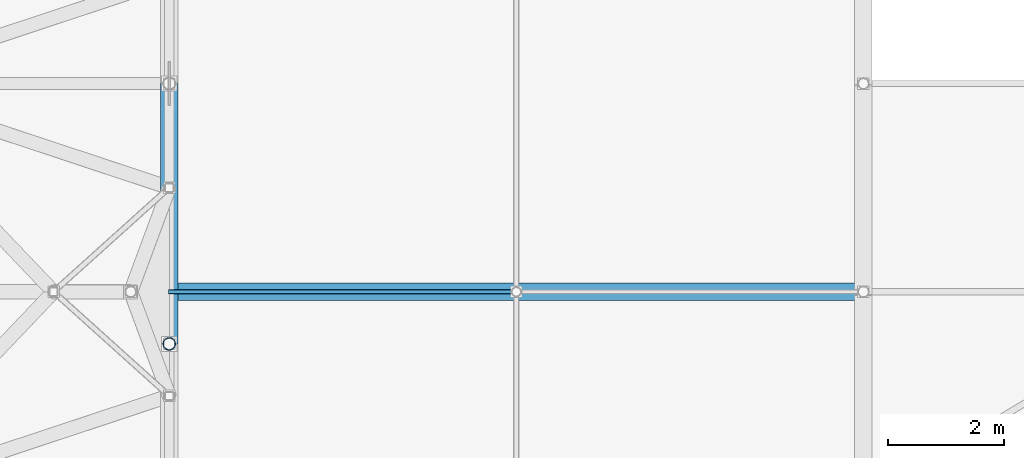
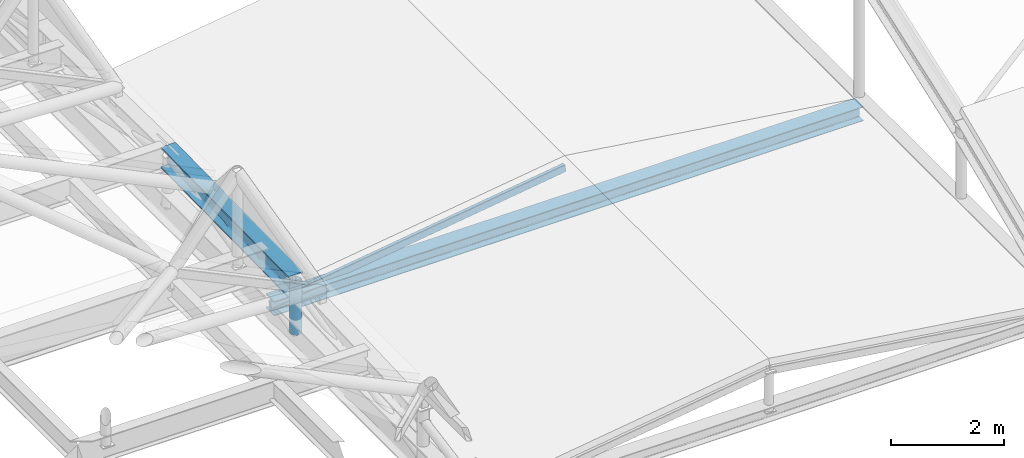
# One storey, part 144 of 239: 2 beams, 2 members.
"""IFC4 building model written with IfcOpenShell, lengths in metres."""

from ifc_helpers import new_model, si_unit, direction, frame, origin, origin_2d, place, context, subcontext, project, spatial, hollow_rectangle, hollow_circle, i_section, extrude, material, material_profile, profile_set, type_object, element, save


model = new_model("IFC4")

# Units and contexts
model_context = context("Model", 3, precision=1e-05, world=origin(), true_north=direction((0.0, 1.0)))
body_context = subcontext(model_context, "Body", "Model", "MODEL_VIEW")
ifc_project = project(units=[si_unit("LENGTHUNIT", "METRE"), si_unit("AREAUNIT", "SQUARE_METRE"), si_unit("VOLUMEUNIT", "CUBIC_METRE"), si_unit("PLANEANGLEUNIT", "RADIAN"), si_unit("MASSUNIT", "GRAM", prefix="KILO")], contexts=[model_context])

# Site, building, storey
site_placement = place(None, origin())
site = spatial("IfcSite", under=ifc_project, at=site_placement, CompositionType="ELEMENT")
building_placement = place(site_placement, origin())
building = spatial("IfcBuilding", under=site, at=building_placement, Name="Dunvalen Ferry Terminal", CompositionType="ELEMENT")
storey_placement = place(building_placement, frame((0.0, 0.0, 9.840087890625)))
storey = spatial("IfcBuildingStorey", under=building, at=storey_placement, Name="L02", CompositionType="ELEMENT", Elevation=9.840087890625)

# Beams
ifc_material = material(Name="Steel S355", Category="steel")
ifc_material_profile_1 = material_profile(ifc_material, i_section(OverallWidth=0.300048828125, OverallDepth=0.31005859375, WebThickness=0.009033203125, FlangeThickness=0.015380859375, FilletRadius=0.027099609375, at=origin_2d()), Name="Steel S355")
ifc_profile_set_1 = profile_set([ifc_material_profile_1], Name="Steel S355")
beam_type_1 = type_object("IfcBeamType", Name="STR-BM-HEA320", PredefinedType="SPANDREL", material=ifc_profile_set_1)
beam_1_placement = place(storey_placement, frame((96.0, 64.800048828125, -0.320068359375), z_axis=(1.0, 0.0, 0.0), x_axis=(0.0, 1.0, 0.0)))
element("IfcBeam", 1, at=beam_1_placement, inside=storey, type_object=beam_type_1, Name="Central Covered Passage Tie Beam 02", PredefinedType="SPANDREL", context=body_context, shape_type="SweptSolid", body=[
    extrude(i_section(OverallWidth=0.300048828125, OverallDepth=0.31005859375, WebThickness=0.009033203125, FlangeThickness=0.015380859375, FilletRadius=0.027099609375, at=origin_2d()), origin(), (0.0, 0.0, 1.0), 12.0),
])
ifc_material_profile_2 = material_profile(ifc_material, i_section(OverallWidth=0.300048828125, OverallDepth=0.449951171875, WebThickness=0.013916015625, FlangeThickness=0.02587890625, FilletRadius=0.027099609375, at=origin_2d()), Name="Steel S355")
ifc_profile_set_2 = profile_set([ifc_material_profile_2], Name="Steel S355")
beam_type_2 = type_object("IfcBeamType", Name="STR-BM-HEB450", PredefinedType="BEAM", material=ifc_profile_set_2)
beam_2_placement = place(storey_placement, frame((96.0, 63.89990234375, 0.65869140625), z_axis=(0.0, 0.999907293085, 0.01361635908), x_axis=(-1.0, 0.0, 0.0)))
element("IfcBeam", 2, at=beam_2_placement, inside=storey, type_object=beam_type_2, Name="Departure Hall Tied-Arch Rib 08.4", PredefinedType="BEAM", context=body_context, shape_type="SweptSolid", body=[
    extrude(i_section(OverallWidth=0.300048828125, OverallDepth=0.449951171875, WebThickness=0.013916015625, FlangeThickness=0.02587890625, FilletRadius=0.027099609375, at=origin_2d()), origin(), (0.0, 0.0, 1.0), 4.50048828125),
])

# Members
ifc_material_profile_3 = material_profile(ifc_material, hollow_circle(Radius=0.109619140625, WallThickness=0.010009765625, at=origin_2d()), Name="Steel S355")
ifc_profile_set_3 = profile_set([ifc_material_profile_3], Name="Steel S355")
member_type_1 = type_object("IfcMemberType", Name="STR-MB-CHS219", PredefinedType="STRUT", material=ifc_profile_set_3)
member_1_placement = place(storey_placement, frame((96.0, 63.89990234375, -0.360107421875), z_axis=(0.0, 0.0, 1.0), x_axis=(1.0, 0.0, 0.0)))
element("IfcMember", 3, at=member_1_placement, inside=storey, type_object=member_type_1, Name="Departure Hall Arch Spandrel Strut 08.3", PredefinedType="STRUT", context=body_context, shape_type="SweptSolid", body=[
    extrude(hollow_circle(Radius=0.109619140625, WallThickness=0.010009765625, at=origin_2d()), origin(), (0.0, 0.0, 1.0), 1.130126953125),
])
ifc_material_profile_4 = material_profile(ifc_material, hollow_rectangle(XDim=0.080078125, YDim=0.159912109375, WallThickness=0.00634765625, InnerFilletRadius=0.00634765625, OuterFilletRadius=0.0126953125, at=origin_2d()), Name="Steel S355")
ifc_profile_set_4 = profile_set([ifc_material_profile_4], Name="Steel S355")
member_type_2 = type_object("IfcMemberType", Name="STR-MB-RHS160", PredefinedType="RAFTER", material=ifc_profile_set_4)
member_2_placement = place(storey_placement, frame((96.0, 64.800048828125, -0.320068359375), z_axis=(0.989886561352, 0.0, 0.141861184452), x_axis=(0.0, 1.0, 0.0)))
element("IfcMember", 4, at=member_2_placement, inside=storey, type_object=member_type_2, Name="Central Covered Passage West Rafter 02", PredefinedType="RAFTER", context=body_context, shape_type="SweptSolid", body=[
    extrude(hollow_rectangle(XDim=0.080078125, YDim=0.159912109375, WallThickness=0.00634765625, InnerFilletRadius=0.00634765625, OuterFilletRadius=0.0126953125, at=origin_2d()), origin(), (0.0, 0.0, 1.0), 6.061279296875),
])

save(model, "model.ifc")
